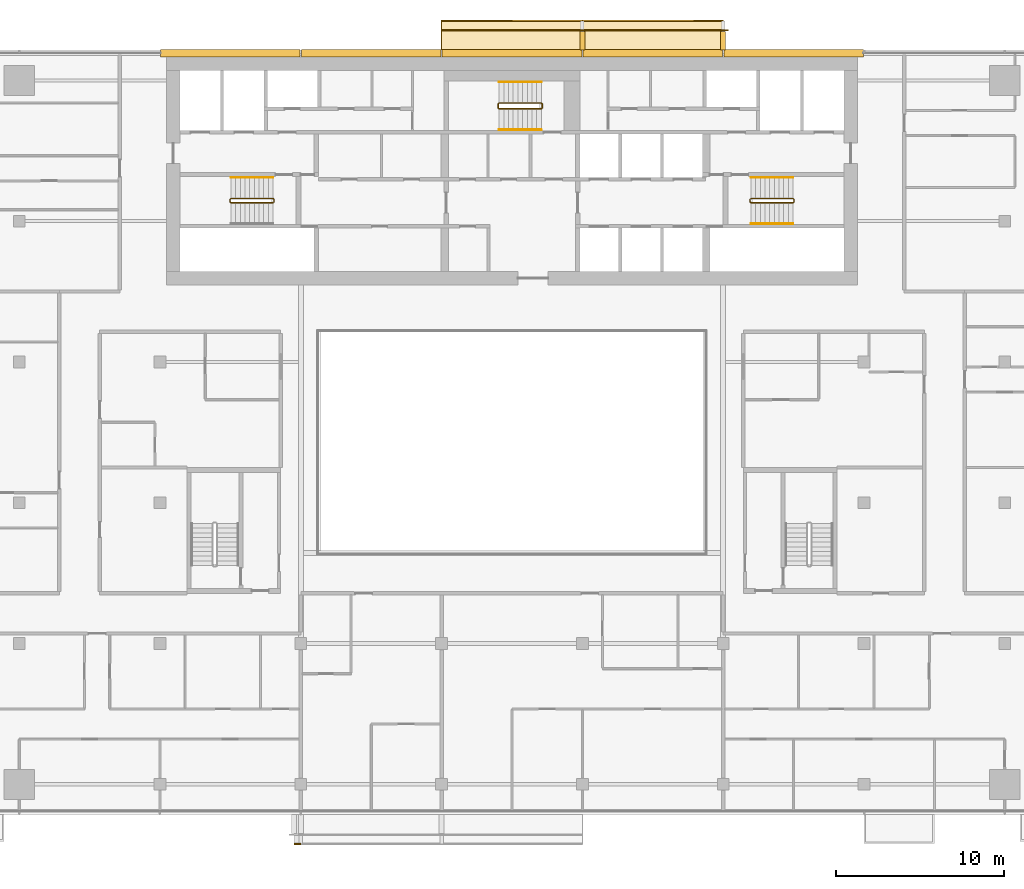
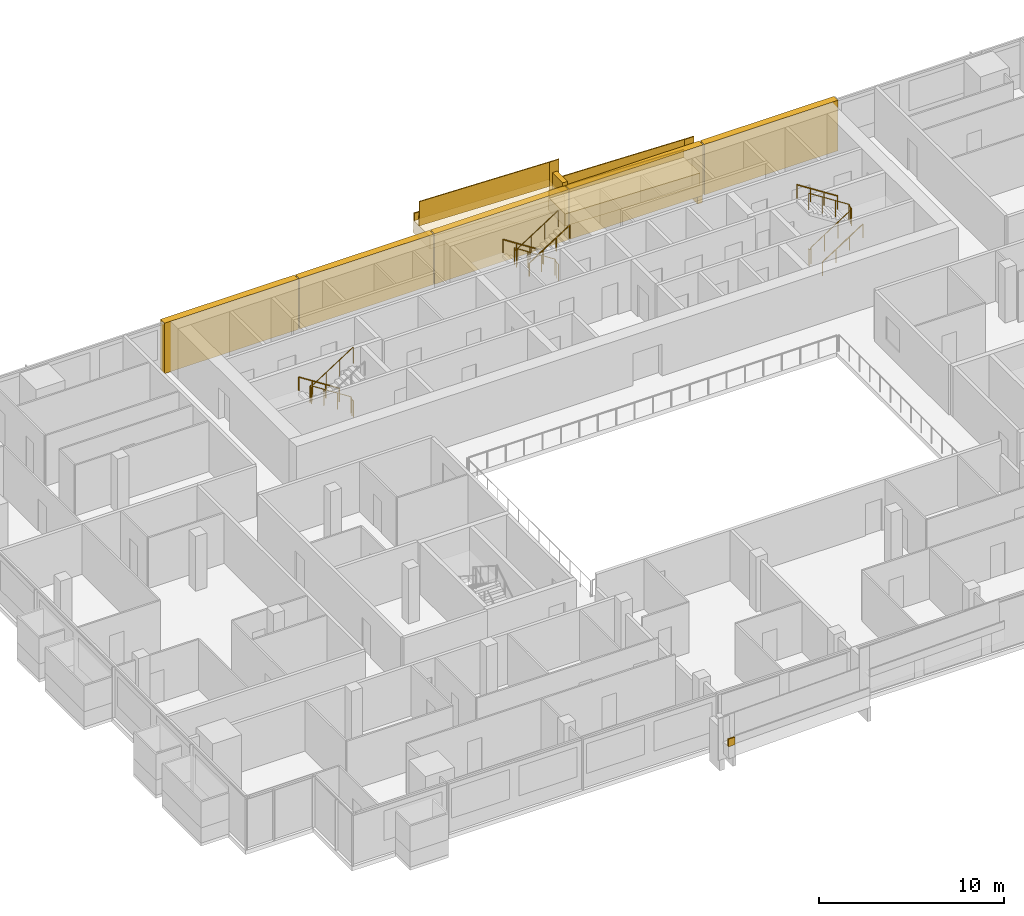
# One storey, part 28 of 28: 12 coverings, 12 railings.
"""IFC4 building model written with IfcOpenShell, lengths in metres."""

from ifc_helpers import new_model, si_unit, direction, frame, origin, origin_2d, place, context, subcontext, project, spatial, polyline, rectangle, circle, outline, extrude, material, layer, layer_set, type_object, element, save


model = new_model("IFC4")

# Units and contexts
model_context = context("Model", 3, precision=1e-05, world=origin(), true_north=direction((0.0, 1.0)))
body_context = subcontext(model_context, "Body", "Model", "MODEL_VIEW")
ifc_project = project(units=[si_unit("LENGTHUNIT", "METRE"), si_unit("AREAUNIT", "SQUARE_METRE"), si_unit("VOLUMEUNIT", "CUBIC_METRE"), si_unit("PLANEANGLEUNIT", "RADIAN"), si_unit("MASSUNIT", "GRAM", prefix="KILO")], contexts=[model_context])

# Site, building, storey
site_placement = place(None, origin())
site = spatial("IfcSite", under=ifc_project, at=site_placement, CompositionType="ELEMENT")
building_placement = place(site_placement, origin())
building = spatial("IfcBuilding", under=site, at=building_placement, Name="Saffron Gate Tower", CompositionType="ELEMENT")
storey_placement = place(building_placement, frame((0.0, 0.0, 151.050048828125)))
storey = spatial("IfcBuildingStorey", under=building, at=storey_placement, Name="L36", CompositionType="ELEMENT", Elevation=151.050048828125)

# Coverings
ifc_material_1 = material(Name="Ceramic-printed bronze insulated panel")
ifc_layer_1 = layer(ifc_material_1, 0.43994140625)
ifc_layer_set_1 = layer_set([ifc_layer_1], Name="CLD3 ceramic-printed cladding panel 440")
covering_type_1 = type_object("IfcCoveringType", Name="CLD3 ceramic-printed cladding panel 440", PredefinedType="CLADDING", material=ifc_layer_set_1)
covering_1_placement = place(storey_placement, origin())
element("IfcCovering", 1, at=covering_1_placement, inside=storey, type_object=covering_type_1, Name="CLADDING ceramic-printed panel", PredefinedType="CLADDING", context=body_context, shape_type="SweptSolid", body=[
    extrude(outline(polyline([(108.56494140625, 75.639892578125), (100.235107421875, 75.639892578125), (100.235107421875, 75.199951171875), (108.56494140625, 75.199951171875), (108.56494140625, 75.639892578125)])), origin(), (0.0, 0.0, 1.0), 3.320068359375),
])
covering_2_placement = place(storey_placement, origin())
element("IfcCovering", 2, at=covering_2_placement, inside=storey, type_object=covering_type_1, Name="CLADDING ceramic-printed panel", PredefinedType="CLADDING", context=body_context, shape_type="SweptSolid", body=[
    extrude(outline(polyline([(100.1650390625, 75.639892578125), (91.8349609375, 75.639892578125), (91.8349609375, 75.199951171875), (100.1650390625, 75.199951171875), (100.1650390625, 75.639892578125)])), origin(), (0.0, 0.0, 1.0), 3.320068359375),
])
covering_3_placement = place(storey_placement, origin())
element("IfcCovering", 3, at=covering_3_placement, inside=storey, type_object=covering_type_1, Name="CLADDING ceramic-printed panel", PredefinedType="CLADDING", context=body_context, shape_type="SweptSolid", body=[
    extrude(outline(polyline([(91.764892578125, 75.639892578125), (83.43505859375, 75.639892578125), (83.43505859375, 75.199951171875), (91.764892578125, 75.199951171875), (91.764892578125, 75.639892578125)])), origin(), (0.0, 0.0, 1.0), 3.320068359375),
])
covering_4_placement = place(storey_placement, origin())
element("IfcCovering", 4, at=covering_4_placement, inside=storey, type_object=covering_type_1, Name="CLADDING ceramic-printed panel", PredefinedType="CLADDING", context=body_context, shape_type="SweptSolid", body=[
    extrude(outline(polyline([(83.364990234375, 75.639892578125), (75.034912109375, 75.639892578125), (75.034912109375, 75.199951171875), (83.364990234375, 75.199951171875), (83.364990234375, 75.639892578125)])), origin(), (0.0, 0.0, 1.0), 3.320068359375),
])
covering_5_placement = place(storey_placement, origin())
element("IfcCovering", 5, at=covering_5_placement, inside=storey, type_object=covering_type_1, Name="CLADDING ceramic-printed panel", PredefinedType="CLADDING", context=body_context, shape_type="SweptSolid", body=[
    extrude(outline(polyline([(74.965087890625, 75.639892578125), (66.635009765625, 75.639892578125), (66.635009765625, 75.199951171875), (74.965087890625, 75.199951171875), (74.965087890625, 75.639892578125)])), origin(), (0.0, 0.0, 1.0), 3.320068359375),
])

# Railings
ifc_material_2 = material(Name="Stainless steel and laminated glass", Category="steel")
railing_type_1 = type_object("IfcRailingType", Name="CR1 Stair guard 1100", PredefinedType="GUARDRAIL", material=ifc_material_2)
railing_1_placement = place(storey_placement, frame((73.39990234375, 66.550048828125, 0.0)))
element("IfcRailing", 6, at=railing_1_placement, inside=storey, type_object=railing_type_1, Name="L36 ST-A stair guard 1", PredefinedType="GUARDRAIL", context=body_context, shape_type="SweptSolid", body=[
    extrude(circle(Radius=0.02392578125, at=origin_2d()), frame((0.0, 0.0, 1.076171875), z_axis=(0.0, 1.0, 0.0), x_axis=(-1.0, 0.0, 0.0)), (0.0, 0.0, 1.0), 0.14990234375),
    extrude(circle(Radius=0.02392578125, at=origin_2d()), frame((0.0, 0.14990234375, 1.076171875), z_axis=(-0.257669022063, 0.258932105505, 0.930892496375), x_axis=(-0.708833529934, -0.705375805398, 0.0)), (0.0, 0.0, 1.0), 0.193359375),
    extrude(circle(Radius=0.02392578125, at=origin_2d()), frame((-0.0498046875, 0.199951171875, 1.255859375), z_axis=(-0.841162588446, 0.0, 0.540782303519), x_axis=(0.0, -1.0, 0.0)), (0.0, 0.0, 1.0), 2.995849609375),
    extrude(circle(Radius=0.02392578125, at=origin_2d()), frame((-2.56982421875, 0.199951171875, 2.8759765625), z_axis=(-0.707106781187, -0.707106781187, 0.0), x_axis=(0.707106781187, -0.707106781187, 0.0)), (0.0, 0.0, 1.0), 0.07080078125),
    extrude(circle(Radius=0.02392578125, at=origin_2d()), frame((-2.619873046875, 0.14990234375, 2.8759765625), z_axis=(0.0, -1.0, 0.0), x_axis=(1.0, 0.0, 0.0)), (0.0, 0.0, 1.0), 0.14990234375),
    extrude(circle(Radius=0.02392578125, at=origin_2d()), frame((-2.619873046875, 0.0, 2.8759765625), z_axis=(0.258847668887, -0.258847668887, 0.930588936439), x_axis=(0.707106781187, 0.707106781187, 0.0)), (0.0, 0.0, 1.0), 0.193359375),
    extrude(circle(Radius=0.02392578125, at=origin_2d()), frame((-2.56982421875, -0.050048828125, 3.05615234375), z_axis=(0.841199657755, 0.0, 0.540724639528), x_axis=(0.0, 1.0, 0.0)), (0.0, 0.0, 1.0), 2.995849609375),
    extrude(circle(Radius=0.02099609375, at=origin_2d()), origin(), (0.0, 0.0, 1.0), 1.052001953125),
    extrude(circle(Radius=0.02099609375, at=origin_2d()), frame((0.0, 0.14990234375, 0.0)), (0.0, 0.0, 1.0), 1.052001953125),
    extrude(circle(Radius=0.02099609375, at=origin_2d()), frame((-0.0498046875, 0.199951171875, 0.179931640625)), (0.0, 0.0, 1.0), 1.052001953125),
    extrude(circle(Radius=0.02099609375, at=origin_2d()), frame((-0.889892578125, 0.199951171875, 0.719970703125)), (0.0, 0.0, 1.0), 1.052001953125),
    extrude(circle(Radius=0.02099609375, at=origin_2d()), frame((-1.729736328125, 0.199951171875, 1.260009765625)), (0.0, 0.0, 1.0), 1.052001953125),
    extrude(circle(Radius=0.02099609375, at=origin_2d()), frame((-2.56982421875, 0.199951171875, 1.800048828125)), (0.0, 0.0, 1.0), 1.052001953125),
    extrude(circle(Radius=0.02099609375, at=origin_2d()), frame((-2.619873046875, 0.14990234375, 1.800048828125)), (0.0, 0.0, 1.0), 1.052001953125),
    extrude(circle(Radius=0.02099609375, at=origin_2d()), frame((-2.619873046875, 0.0, 1.800048828125)), (0.0, 0.0, 1.0), 1.052001953125),
    extrude(circle(Radius=0.02099609375, at=origin_2d()), frame((-2.56982421875, -0.050048828125, 1.97998046875)), (0.0, 0.0, 1.0), 1.052001953125),
    extrude(circle(Radius=0.02099609375, at=origin_2d()), frame((-1.729736328125, -0.050048828125, 2.52001953125)), (0.0, 0.0, 1.0), 1.052001953125),
    extrude(circle(Radius=0.02099609375, at=origin_2d()), frame((-0.889892578125, -0.050048828125, 3.059814453125)), (0.0, 0.0, 1.0), 1.052001953125),
    extrude(circle(Radius=0.02099609375, at=origin_2d()), frame((-0.0498046875, -0.050048828125, 3.599853515625)), (0.0, 0.0, 1.0), 1.052001953125),
])
railing_2_placement = place(storey_placement, frame((101.800048828125, 66.699951171875, 0.0)))
element("IfcRailing", 7, at=railing_2_placement, inside=storey, type_object=railing_type_1, Name="L36 ST-B stair guard 1", PredefinedType="GUARDRAIL", context=body_context, shape_type="SweptSolid", body=[
    extrude(circle(Radius=0.02392578125, at=origin_2d()), frame((0.0, 0.0, 1.076171875), z_axis=(0.0, -1.0, 0.0), x_axis=(1.0, 0.0, 0.0)), (0.0, 0.0, 1.0), 0.14990234375),
    extrude(circle(Radius=0.02392578125, at=origin_2d()), frame((0.0, -0.14990234375, 1.076171875), z_axis=(0.258847668887, -0.258847668887, 0.930588936439), x_axis=(0.707106781187, 0.707106781187, 0.0)), (0.0, 0.0, 1.0), 0.193359375),
    extrude(circle(Radius=0.02392578125, at=origin_2d()), frame((0.050048828125, -0.199951171875, 1.255859375), z_axis=(0.841162588446, 0.0, 0.540782303519), x_axis=(0.0, 1.0, 0.0)), (0.0, 0.0, 1.0), 2.995849609375),
    extrude(circle(Radius=0.02392578125, at=origin_2d()), frame((2.570068359375, -0.199951171875, 2.8759765625), z_axis=(0.705375805398, 0.708833529934, 0.0), x_axis=(-0.708833529934, 0.705375805398, 0.0)), (0.0, 0.0, 1.0), 0.070556640625),
    extrude(circle(Radius=0.02392578125, at=origin_2d()), frame((2.619873046875, -0.14990234375, 2.8759765625), z_axis=(0.0, 1.0, 0.0), x_axis=(-1.0, 0.0, 0.0)), (0.0, 0.0, 1.0), 0.14990234375),
    extrude(circle(Radius=0.02392578125, at=origin_2d()), frame((2.619873046875, 0.0, 2.8759765625), z_axis=(-0.257669022063, 0.258932105505, 0.930892496375), x_axis=(-0.708833529934, -0.705375805398, 0.0)), (0.0, 0.0, 1.0), 0.193359375),
    extrude(circle(Radius=0.02392578125, at=origin_2d()), frame((2.570068359375, 0.050048828125, 3.05615234375), z_axis=(-0.841199657755, 0.0, 0.540724639528), x_axis=(0.0, -1.0, 0.0)), (0.0, 0.0, 1.0), 2.995849609375),
    extrude(circle(Radius=0.02099609375, at=origin_2d()), origin(), (0.0, 0.0, 1.0), 1.052001953125),
    extrude(circle(Radius=0.02099609375, at=origin_2d()), frame((0.0, -0.14990234375, 0.0)), (0.0, 0.0, 1.0), 1.052001953125),
    extrude(circle(Radius=0.02099609375, at=origin_2d()), frame((0.050048828125, -0.199951171875, 0.179931640625)), (0.0, 0.0, 1.0), 1.052001953125),
    extrude(circle(Radius=0.02099609375, at=origin_2d()), frame((0.89013671875, -0.199951171875, 0.719970703125)), (0.0, 0.0, 1.0), 1.052001953125),
    extrude(circle(Radius=0.02099609375, at=origin_2d()), frame((1.72998046875, -0.199951171875, 1.260009765625)), (0.0, 0.0, 1.0), 1.052001953125),
    extrude(circle(Radius=0.02099609375, at=origin_2d()), frame((2.570068359375, -0.199951171875, 1.800048828125)), (0.0, 0.0, 1.0), 1.052001953125),
    extrude(circle(Radius=0.02099609375, at=origin_2d()), frame((2.619873046875, -0.14990234375, 1.800048828125)), (0.0, 0.0, 1.0), 1.052001953125),
    extrude(circle(Radius=0.02099609375, at=origin_2d()), frame((2.619873046875, 0.0, 1.800048828125)), (0.0, 0.0, 1.0), 1.052001953125),
    extrude(circle(Radius=0.02099609375, at=origin_2d()), frame((2.570068359375, 0.050048828125, 1.97998046875)), (0.0, 0.0, 1.0), 1.052001953125),
    extrude(circle(Radius=0.02099609375, at=origin_2d()), frame((1.72998046875, 0.050048828125, 2.52001953125)), (0.0, 0.0, 1.0), 1.052001953125),
    extrude(circle(Radius=0.02099609375, at=origin_2d()), frame((0.89013671875, 0.050048828125, 3.059814453125)), (0.0, 0.0, 1.0), 1.052001953125),
    extrude(circle(Radius=0.02099609375, at=origin_2d()), frame((0.050048828125, 0.050048828125, 3.599853515625)), (0.0, 0.0, 1.0), 1.052001953125),
])
railing_3_placement = place(storey_placement, frame((89.39990234375, 72.14990234375, 0.0)))
element("IfcRailing", 8, at=railing_3_placement, inside=storey, type_object=railing_type_1, Name="L36 ST-C stair guard 1", PredefinedType="GUARDRAIL", context=body_context, shape_type="SweptSolid", body=[
    extrude(circle(Radius=0.02392578125, at=origin_2d()), frame((0.0, 0.0, 1.076171875), z_axis=(0.0, 1.0, 0.0), x_axis=(-1.0, 0.0, 0.0)), (0.0, 0.0, 1.0), 0.25),
    extrude(circle(Radius=0.02392578125, at=origin_2d()), frame((0.0, 0.25, 1.076171875), z_axis=(-0.257669022063, 0.258932105505, 0.930892496375), x_axis=(-0.708833529934, -0.705375805398, 0.0)), (0.0, 0.0, 1.0), 0.193359375),
    extrude(circle(Radius=0.02392578125, at=origin_2d()), frame((-0.0498046875, 0.300048828125, 1.255859375), z_axis=(-0.841162588446, 0.0, 0.540782303519), x_axis=(0.0, -1.0, 0.0)), (0.0, 0.0, 1.0), 2.995849609375),
    extrude(circle(Radius=0.02392578125, at=origin_2d()), frame((-2.56982421875, 0.300048828125, 2.8759765625), z_axis=(-0.707106781187, -0.707106781187, 0.0), x_axis=(0.707106781187, -0.707106781187, 0.0)), (0.0, 0.0, 1.0), 0.07080078125),
    extrude(circle(Radius=0.02392578125, at=origin_2d()), frame((-2.619873046875, 0.25, 2.8759765625), z_axis=(0.0, -1.0, 0.0), x_axis=(1.0, 0.0, 0.0)), (0.0, 0.0, 1.0), 0.25),
    extrude(circle(Radius=0.02392578125, at=origin_2d()), frame((-2.619873046875, 0.0, 2.8759765625), z_axis=(0.258932105505, -0.257669022063, 0.930892496375), x_axis=(0.705375805398, 0.708833529934, 0.0)), (0.0, 0.0, 1.0), 0.193359375),
    extrude(circle(Radius=0.02392578125, at=origin_2d()), frame((-2.56982421875, -0.0498046875, 3.05615234375), z_axis=(0.841199657755, 0.0, 0.540724639528), x_axis=(0.0, 1.0, 0.0)), (0.0, 0.0, 1.0), 2.995849609375),
    extrude(circle(Radius=0.02099609375, at=origin_2d()), origin(), (0.0, 0.0, 1.0), 1.052001953125),
    extrude(circle(Radius=0.02099609375, at=origin_2d()), frame((0.0, 0.25, 0.0)), (0.0, 0.0, 1.0), 1.052001953125),
    extrude(circle(Radius=0.02099609375, at=origin_2d()), frame((-0.0498046875, 0.300048828125, 0.179931640625)), (0.0, 0.0, 1.0), 1.052001953125),
    extrude(circle(Radius=0.02099609375, at=origin_2d()), frame((-0.889892578125, 0.300048828125, 0.719970703125)), (0.0, 0.0, 1.0), 1.052001953125),
    extrude(circle(Radius=0.02099609375, at=origin_2d()), frame((-1.729736328125, 0.300048828125, 1.260009765625)), (0.0, 0.0, 1.0), 1.052001953125),
    extrude(circle(Radius=0.02099609375, at=origin_2d()), frame((-2.56982421875, 0.300048828125, 1.800048828125)), (0.0, 0.0, 1.0), 1.052001953125),
    extrude(circle(Radius=0.02099609375, at=origin_2d()), frame((-2.619873046875, 0.25, 1.800048828125)), (0.0, 0.0, 1.0), 1.052001953125),
    extrude(circle(Radius=0.02099609375, at=origin_2d()), frame((-2.619873046875, 0.0, 1.800048828125)), (0.0, 0.0, 1.0), 1.052001953125),
    extrude(circle(Radius=0.02099609375, at=origin_2d()), frame((-2.56982421875, -0.0498046875, 1.97998046875)), (0.0, 0.0, 1.0), 1.052001953125),
    extrude(circle(Radius=0.02099609375, at=origin_2d()), frame((-1.729736328125, -0.0498046875, 2.52001953125)), (0.0, 0.0, 1.0), 1.052001953125),
    extrude(circle(Radius=0.02099609375, at=origin_2d()), frame((-0.889892578125, -0.0498046875, 3.059814453125)), (0.0, 0.0, 1.0), 1.052001953125),
    extrude(circle(Radius=0.02099609375, at=origin_2d()), frame((-0.0498046875, -0.0498046875, 3.599853515625)), (0.0, 0.0, 1.0), 1.052001953125),
])
ifc_material_3 = material(Name="Stainless steel", Category="steel")
railing_type_2 = type_object("IfcRailingType", Name="CR2 Stair handrail 900", PredefinedType="HANDRAIL", material=ifc_material_3)
railing_4_placement = place(storey_placement, frame((73.35009765625, 68.0, 0.179931640625)))
element("IfcRailing", 9, at=railing_4_placement, inside=storey, type_object=railing_type_2, Name="L36 ST-A stair handrail 1", PredefinedType="HANDRAIL", context=body_context, shape_type="SweptSolid", body=[
    extrude(circle(Radius=0.02392578125, at=origin_2d()), frame((0.0, 0.0, 0.8759765625), z_axis=(-0.841162588446, 0.0, 0.540782303519), x_axis=(0.0, -1.0, 0.0)), (0.0, 0.0, 1.0), 2.995849609375),
    extrude(circle(Radius=0.02099609375, at=origin_2d()), origin(), (0.0, 0.0, 1.0), 0.851806640625),
    extrude(circle(Radius=0.02099609375, at=origin_2d()), frame((-0.840087890625, 0.0, 0.5400390625)), (0.0, 0.0, 1.0), 0.851806640625),
    extrude(circle(Radius=0.02099609375, at=origin_2d()), frame((-1.679931640625, 0.0, 1.080078125)), (0.0, 0.0, 1.0), 0.851806640625),
    extrude(circle(Radius=0.02099609375, at=origin_2d()), frame((-2.52001953125, 0.0, 1.6201171875)), (0.0, 0.0, 1.0), 0.851806640625),
])
railing_5_placement = place(storey_placement, frame((101.85009765625, 65.25, 0.179931640625)))
element("IfcRailing", 10, at=railing_5_placement, inside=storey, type_object=railing_type_2, Name="L36 ST-B stair handrail 1", PredefinedType="HANDRAIL", context=body_context, shape_type="SweptSolid", body=[
    extrude(circle(Radius=0.02392578125, at=origin_2d()), frame((0.0, 0.0, 0.8759765625), z_axis=(0.841162588446, 0.0, 0.540782303519), x_axis=(0.0, 1.0, 0.0)), (0.0, 0.0, 1.0), 2.995849609375),
    extrude(circle(Radius=0.02099609375, at=origin_2d()), origin(), (0.0, 0.0, 1.0), 0.851806640625),
    extrude(circle(Radius=0.02099609375, at=origin_2d()), frame((0.840087890625, 0.0, 0.5400390625)), (0.0, 0.0, 1.0), 0.851806640625),
    extrude(circle(Radius=0.02099609375, at=origin_2d()), frame((1.679931640625, 0.0, 1.080078125)), (0.0, 0.0, 1.0), 0.851806640625),
    extrude(circle(Radius=0.02099609375, at=origin_2d()), frame((2.52001953125, 0.0, 1.6201171875)), (0.0, 0.0, 1.0), 0.851806640625),
])
railing_6_placement = place(storey_placement, frame((104.3701171875, 68.0, 1.97998046875)))
element("IfcRailing", 11, at=railing_6_placement, inside=storey, type_object=railing_type_2, Name="L36 ST-B stair handrail 2", PredefinedType="HANDRAIL", context=body_context, shape_type="SweptSolid", body=[
    extrude(circle(Radius=0.02392578125, at=origin_2d()), frame((0.0, 0.0, 0.8759765625), z_axis=(-0.841199657755, 0.0, 0.540724639528), x_axis=(0.0, -1.0, 0.0)), (0.0, 0.0, 1.0), 2.995849609375),
    extrude(circle(Radius=0.02099609375, at=origin_2d()), origin(), (0.0, 0.0, 1.0), 0.851806640625),
    extrude(circle(Radius=0.02099609375, at=origin_2d()), frame((-0.840087890625, 0.0, 0.5400390625)), (0.0, 0.0, 1.0), 0.851806640625),
    extrude(circle(Radius=0.02099609375, at=origin_2d()), frame((-1.679931640625, 0.0, 1.079833984375)), (0.0, 0.0, 1.0), 0.851806640625),
    extrude(circle(Radius=0.02099609375, at=origin_2d()), frame((-2.52001953125, 0.0, 1.619873046875)), (0.0, 0.0, 1.0), 0.851806640625),
])
railing_7_placement = place(storey_placement, frame((89.35009765625, 73.699951171875, 0.179931640625)))
element("IfcRailing", 12, at=railing_7_placement, inside=storey, type_object=railing_type_2, Name="L36 ST-C stair handrail 1", PredefinedType="HANDRAIL", context=body_context, shape_type="SweptSolid", body=[
    extrude(circle(Radius=0.02392578125, at=origin_2d()), frame((0.0, 0.0, 0.8759765625), z_axis=(-0.841162588446, 0.0, 0.540782303519), x_axis=(0.0, -1.0, 0.0)), (0.0, 0.0, 1.0), 2.995849609375),
    extrude(circle(Radius=0.02099609375, at=origin_2d()), origin(), (0.0, 0.0, 1.0), 0.851806640625),
    extrude(circle(Radius=0.02099609375, at=origin_2d()), frame((-0.840087890625, 0.0, 0.5400390625)), (0.0, 0.0, 1.0), 0.851806640625),
    extrude(circle(Radius=0.02099609375, at=origin_2d()), frame((-1.679931640625, 0.0, 1.080078125)), (0.0, 0.0, 1.0), 0.851806640625),
    extrude(circle(Radius=0.02099609375, at=origin_2d()), frame((-2.52001953125, 0.0, 1.6201171875)), (0.0, 0.0, 1.0), 0.851806640625),
])
railing_8_placement = place(storey_placement, frame((86.830078125, 70.85009765625, 1.97998046875)))
element("IfcRailing", 13, at=railing_8_placement, inside=storey, type_object=railing_type_2, Name="L36 ST-C stair handrail 2", PredefinedType="HANDRAIL", context=body_context, shape_type="SweptSolid", body=[
    extrude(circle(Radius=0.02392578125, at=origin_2d()), frame((0.0, 0.0, 0.8759765625), z_axis=(0.841199657755, 0.0, 0.540724639528), x_axis=(0.0, 1.0, 0.0)), (0.0, 0.0, 1.0), 2.995849609375),
    extrude(circle(Radius=0.02099609375, at=origin_2d()), origin(), (0.0, 0.0, 1.0), 0.851806640625),
    extrude(circle(Radius=0.02099609375, at=origin_2d()), frame((0.840087890625, 0.0, 0.5400390625)), (0.0, 0.0, 1.0), 0.851806640625),
    extrude(circle(Radius=0.02099609375, at=origin_2d()), frame((1.679931640625, 0.0, 1.079833984375)), (0.0, 0.0, 1.0), 0.851806640625),
    extrude(circle(Radius=0.02099609375, at=origin_2d()), frame((2.52001953125, 0.0, 1.619873046875)), (0.0, 0.0, 1.0), 0.851806640625),
])

# Coverings
ifc_material_4 = material(Name="Timber, thermally modified ash", Category="wood")
ifc_layer_2 = layer(ifc_material_4, 0.800048828125)
ifc_layer_set_2 = layer_set([ifc_layer_2], Name="LD1 ledge timber")
covering_type_2 = type_object("IfcCoveringType", Name="LD1 ledge timber", PredefinedType="CLADDING", material=ifc_layer_set_2)
covering_6_placement = place(storey_placement, frame((100.199951171875, 75.60009765625, 1.21484375), z_axis=(0.028791175352, 0.0, 0.999585448184), x_axis=(-0.999585448184, 0.0, 0.028791175352)))
element("IfcCovering", 14, at=covering_6_placement, inside=storey, type_object=covering_type_2, Name="LEDGE", PredefinedType="CLADDING", context=body_context, shape_type="SweptSolid", body=[
    extrude(outline(polyline([(0.0, 0.0), (8.403385982666892, 0.0), (8.403385982666892, -1.7998046875), (0.0, -1.7998046875), (0.0, 0.0)])), origin(), (0.0, 0.0, -1.0), 0.800048828125),
])
covering_7_placement = place(storey_placement, frame((91.800048828125, 75.60009765625, 2.6572265625), z_axis=(0.028790339263, 0.0, 0.999585472266), x_axis=(-0.999585472266, 0.0, 0.028790339263)))
element("IfcCovering", 15, at=covering_7_placement, inside=storey, type_object=covering_type_2, Name="LEDGE", PredefinedType="CLADDING", context=body_context, shape_type="SweptSolid", body=[
    extrude(outline(polyline([(0.0, 0.0), (8.403630022085892, 0.0), (8.403630022085892, -1.7998046875), (0.0, -1.7998046875), (0.0, 0.0)])), origin(), (0.0, 0.0, -1.0), 0.800048828125),
])
ifc_layer_3 = layer(ifc_material_4, 0.080078125)
ifc_layer_set_3 = layer_set([ifc_layer_3], Name="LD2 ledge planter trough")
covering_type_3 = type_object("IfcCoveringType", Name="LD2 ledge planter trough", PredefinedType="CLADDING", material=ifc_layer_set_3)
covering_8_placement = place(storey_placement, frame((74.60009765625, 28.199951171875, 1.146240234375), z_axis=(0.0, -1.0, 0.0), x_axis=(0.999588594726, 0.0, 0.028681724025)))
element("IfcCovering", 16, at=covering_8_placement, inside=storey, type_object=covering_type_3, Name="LEDGE planter trough", PredefinedType="CLADDING", context=body_context, shape_type="SweptSolid", body=[
    extrude(outline(polyline([(0.0, 0.0), (0.40006693339621563, 0.0), (0.4144077954084678, 0.4997942973631708), (0.014340862012252152, 0.49979429736317077), (0.0, 0.0)])), origin(), (0.0, 0.0, -1.0), 0.080078125),
])
covering_9_placement = place(storey_placement, frame((100.199951171875, 77.39990234375, 1.21484375), z_axis=(0.0, 1.0, 0.0), x_axis=(-0.999585448184, 0.0, 0.028791175352)))
element("IfcCovering", 17, at=covering_9_placement, inside=storey, type_object=covering_type_3, Name="LEDGE planter trough", PredefinedType="CLADDING", context=body_context, shape_type="SweptSolid", body=[
    extrude(outline(polyline([(0.0, 0.0), (8.403385982666892, 0.0), (8.417781570342743, 0.49979272409216496), (0.014395587675851172, 0.4997927240921649), (0.0, 0.0)])), origin(), (0.0, 0.0, -1.0), 0.080078125),
])
covering_10_placement = place(storey_placement, frame((91.800048828125, 77.39990234375, 2.6572265625), z_axis=(0.0, 1.0, 0.0), x_axis=(-0.999585472266, 0.0, 0.028790339263)))
element("IfcCovering", 18, at=covering_10_placement, inside=storey, type_object=covering_type_3, Name="LEDGE planter trough", PredefinedType="CLADDING", context=body_context, shape_type="SweptSolid", body=[
    extrude(outline(polyline([(0.0, 0.0), (8.403630022085892, 0.0), (8.418025191717298, 0.4997927361329725), (0.014395169631405694, 0.4997927361329725), (0.0, 0.0)])), origin(), (0.0, 0.0, -1.0), 0.080078125),
])
ifc_layer_4 = layer(ifc_material_4, 0.300048828125)
ifc_layer_set_4 = layer_set([ifc_layer_4], Name="LD3 ledge riser fin")
covering_type_4 = type_object("IfcCoveringType", Name="LD3 ledge riser fin", PredefinedType="CLADDING", material=ifc_layer_set_4)
for number, where, z_axis, x_axis, name in (
    (19, (100.199951171875, 76.159912109375, -0.785400390625), (0.0, 0.0, 1.0), (-1.0, 0.0, 0.0), "LEDGE riser fin"),
    (20, (91.800048828125, 76.159912109375, 0.65673828125), (0.0, 0.0, 1.0), (-1.0, 0.0, 0.0), "LEDGE riser fin"),
):
    element("IfcCovering", number, at=place(storey_placement, frame(where, z_axis=z_axis, x_axis=x_axis)), inside=storey, type_object=covering_type_4, Name=name, PredefinedType="CLADDING", context=body_context, shape_type="SweptSolid", body=[
        extrude(rectangle(XDim=0.300048828125, YDim=1.1201171875, at=origin_2d()), origin(), (0.0, 0.0, 1.0), 2.900390625),
    ])

# Railings
railing_type_3 = type_object("IfcRailingType", Name="LG1 ledge balustrade", PredefinedType="BALUSTRADE", material=ifc_material_4)
railing_9_placement = place(storey_placement, frame((100.199951171875, 76.800048828125, 1.21484375)))
element("IfcRailing", 21, at=railing_9_placement, inside=storey, type_object=railing_type_3, Name="LEDGE BALUSTRADE", PredefinedType="BALUSTRADE", context=body_context, shape_type="SweptSolid", body=[
    extrude(rectangle(XDim=0.06005859375, YDim=1.60009765625, at=origin_2d()), frame((0.0, 0.0, 0.800048828125), z_axis=(-0.999585448184, 0.0, 0.028791175352), x_axis=(0.0, -1.0, 0.0)), (0.0, 0.0, 1.0), 8.4033203125),
])
railing_10_placement = place(storey_placement, frame((100.5, 76.800048828125, 0.014404296875)))
element("IfcRailing", 22, at=railing_10_placement, inside=storey, type_object=railing_type_3, Name="LEDGE BALUSTRADE", PredefinedType="BALUSTRADE", context=body_context, shape_type="SweptSolid", body=[
    extrude(rectangle(XDim=0.06005859375, YDim=2.80029296875, at=origin_2d()), frame((0.0, 0.0, 1.400146484375), z_axis=(-1.0, 0.0, 0.0), x_axis=(0.0, -1.0, 0.0)), (0.0, 0.0, 1.0), 0.60009765625),
])
railing_11_placement = place(storey_placement, frame((91.800048828125, 76.800048828125, 2.6572265625)))
element("IfcRailing", 23, at=railing_11_placement, inside=storey, type_object=railing_type_3, Name="LEDGE BALUSTRADE", PredefinedType="BALUSTRADE", context=body_context, shape_type="SweptSolid", body=[
    extrude(rectangle(XDim=0.06005859375, YDim=1.60009765625, at=origin_2d()), frame((0.0, 0.0, 0.800048828125), z_axis=(-0.999585472266, 0.0, 0.028790339263), x_axis=(0.0, -1.0, 0.0)), (0.0, 0.0, 1.0), 8.403564453125),
])
railing_12_placement = place(storey_placement, frame((92.10009765625, 76.800048828125, 1.456787109375)))
element("IfcRailing", 24, at=railing_12_placement, inside=storey, type_object=railing_type_3, Name="LEDGE BALUSTRADE", PredefinedType="BALUSTRADE", context=body_context, shape_type="SweptSolid", body=[
    extrude(rectangle(XDim=0.06005859375, YDim=2.80029296875, at=origin_2d()), frame((0.0, 0.0, 1.400146484375), z_axis=(-1.0, 0.0, 0.0), x_axis=(0.0, -1.0, 0.0)), (0.0, 0.0, 1.0), 0.60009765625),
])

save(model, "model.ifc")
